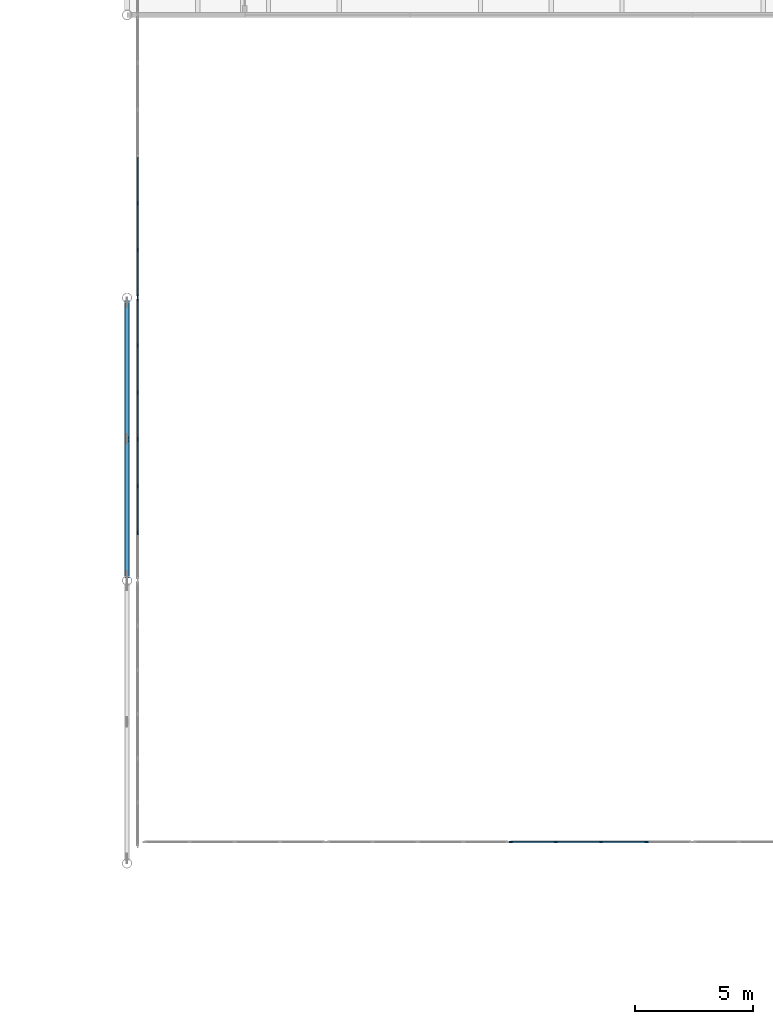
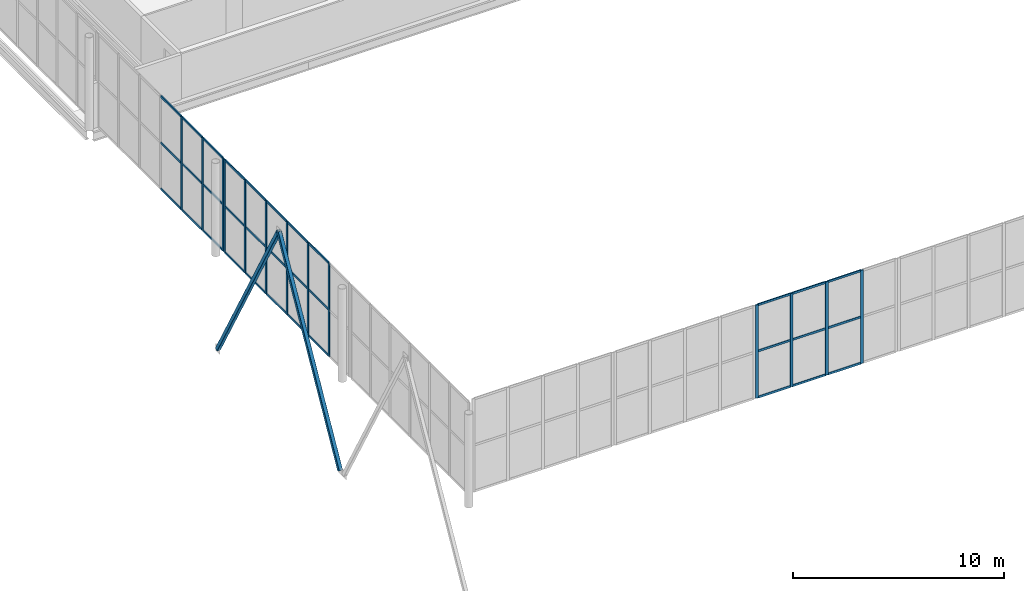
# One storey, part 52 of 170: 48 members, 3 elements without a shape of their own.
"""IFC4 building model written with IfcOpenShell, lengths in metres."""

from ifc_helpers import new_model, si_unit, direction, frame, origin, origin_2d, place, context, subcontext, project, spatial, rectangle, hollow_rectangle, extrude, material, layer, layer_set, material_profile, profile_set, type_object, element, aggregate, save


model = new_model("IFC4")

# Units and contexts
model_context = context("Model", 3, precision=1e-05, world=origin(), true_north=direction((0.0, 1.0)))
body_context = subcontext(model_context, "Body", "Model", "MODEL_VIEW")
ifc_project = project(units=[si_unit("LENGTHUNIT", "METRE"), si_unit("AREAUNIT", "SQUARE_METRE"), si_unit("VOLUMEUNIT", "CUBIC_METRE"), si_unit("PLANEANGLEUNIT", "RADIAN"), si_unit("MASSUNIT", "GRAM", prefix="KILO")], contexts=[model_context])

# Site, building, storey
site_placement = place(None, origin())
site = spatial("IfcSite", under=ifc_project, at=site_placement, CompositionType="ELEMENT")
building_placement = place(site_placement, origin())
building = spatial("IfcBuilding", under=site, at=building_placement, Name="Ravi Spectrum Wholesale Market", CompositionType="ELEMENT")
storey_placement = place(building_placement, frame((0.0, 0.0, 5.39990234375)))
storey = spatial("IfcBuildingStorey", under=building, at=storey_placement, Name="L01", CompositionType="ELEMENT", Elevation=5.39990234375)

# Curtain wall, members
ifc_material_1 = material(Name="Aluminium 6063-T6", Category="aluminium")
ifc_layer = layer(ifc_material_1, 0.14990234375)
ifc_layer_set = layer_set([ifc_layer], Name="Aluminium 6063-T6")
curtain_wall_type = type_object("IfcCurtainWallType", Name="Curtain wall 150", PredefinedType="NOTDEFINED", material=ifc_layer_set)
curtain_wall_1_placement = place(storey_placement, origin())
curtain_wall_1 = element("IfcCurtainWall", 1, at=curtain_wall_1_placement, inside=storey, type_object=curtain_wall_type, Name="H2-CW-L01-002", PredefinedType="NOTDEFINED")
ifc_material_2 = material(Name="Aluminium 6063-T6", Category="aluminium")
ifc_material_profile_1 = material_profile(ifc_material_2, rectangle(XDim=0.06005859375, YDim=0.159912109375, at=origin_2d()))
ifc_profile_set_1 = profile_set([ifc_material_profile_1], Name="Aluminium 6063-T6")
member_type_1 = type_object("IfcMemberType", Name="Mullion 60 x 160", PredefinedType="MULLION", material=ifc_profile_set_1)
member_1_placement = place(storey_placement, frame((150.453125, 92.026611328125, 0.0), z_axis=(0.0, 0.0, 1.0), x_axis=(-1.0, 0.0, 0.0)))
member_1 = element("IfcMember", 2, at=member_1_placement, type_object=member_type_1, Name="H2-CW-L01-002 mullion 2", PredefinedType="MULLION", context=body_context, shape_type="SweptSolid", body=[
    extrude(rectangle(XDim=0.06005859375, YDim=0.159912109375, at=origin_2d()), origin(), (0.0, 0.0, 1.0), 5.400146484375),
])
member_2_placement = place(storey_placement, frame((150.453125, 94.013427734375, 0.0), z_axis=(0.0, 0.0, 1.0), x_axis=(-1.0, 0.0, 0.0)))
member_2 = element("IfcMember", 3, at=member_2_placement, type_object=member_type_1, Name="H2-CW-L01-002 mullion 3", PredefinedType="MULLION", context=body_context, shape_type="SweptSolid", body=[
    extrude(rectangle(XDim=0.06005859375, YDim=0.159912109375, at=origin_2d()), origin(), (0.0, 0.0, 1.0), 5.400146484375),
])
member_3_placement = place(storey_placement, frame((150.453125, 96.0, 0.0), z_axis=(0.0, 0.0, 1.0), x_axis=(-1.0, 0.0, 0.0)))
member_3 = element("IfcMember", 4, at=member_3_placement, type_object=member_type_1, Name="H2-CW-L01-002 mullion 4", PredefinedType="MULLION", context=body_context, shape_type="SweptSolid", body=[
    extrude(rectangle(XDim=0.06005859375, YDim=0.159912109375, at=origin_2d()), origin(), (0.0, 0.0, 1.0), 5.400146484375),
])
member_4_placement = place(storey_placement, frame((150.453125, 97.986572265625, 0.0), z_axis=(0.0, 0.0, 1.0), x_axis=(-1.0, 0.0, 0.0)))
member_4 = element("IfcMember", 5, at=member_4_placement, type_object=member_type_1, Name="H2-CW-L01-002 mullion 5", PredefinedType="MULLION", context=body_context, shape_type="SweptSolid", body=[
    extrude(rectangle(XDim=0.06005859375, YDim=0.159912109375, at=origin_2d()), origin(), (0.0, 0.0, 1.0), 5.400146484375),
])
member_5_placement = place(storey_placement, frame((150.453125, 99.973388671875, 0.0), z_axis=(0.0, 0.0, 1.0), x_axis=(-1.0, 0.0, 0.0)))
member_5 = element("IfcMember", 6, at=member_5_placement, type_object=member_type_1, Name="H2-CW-L01-002 mullion 6", PredefinedType="MULLION", context=body_context, shape_type="SweptSolid", body=[
    extrude(rectangle(XDim=0.06005859375, YDim=0.159912109375, at=origin_2d()), origin(), (0.0, 0.0, 1.0), 5.400146484375),
])
member_6_placement = place(storey_placement, frame((150.453125, 101.929931640625, 0.0), z_axis=(0.0, 0.0, 1.0), x_axis=(-1.0, 0.0, 0.0)))
member_6 = element("IfcMember", 7, at=member_6_placement, type_object=member_type_1, Name="H2-CW-L01-002 mullion 7", PredefinedType="MULLION", context=body_context, shape_type="SweptSolid", body=[
    extrude(rectangle(XDim=0.06005859375, YDim=0.159912109375, at=origin_2d()), origin(), (0.0, 0.0, 1.0), 5.400146484375),
])

curtain_wall_2_placement = place(storey_placement, origin())
curtain_wall_2 = element("IfcCurtainWall", 8, at=curtain_wall_2_placement, inside=storey, type_object=curtain_wall_type, Name="H2-CW-L01-003", PredefinedType="NOTDEFINED")
member_7_placement = place(storey_placement, frame((150.453125, 102.070068359375, 0.0), z_axis=(0.0, 0.0, 1.0), x_axis=(-1.0, 0.0, 0.0)))
member_7 = element("IfcMember", 9, at=member_7_placement, type_object=member_type_1, Name="H2-CW-L01-003 mullion 1", PredefinedType="MULLION", context=body_context, shape_type="SweptSolid", body=[
    extrude(rectangle(XDim=0.06005859375, YDim=0.159912109375, at=origin_2d()), origin(), (0.0, 0.0, 1.0), 5.400146484375),
])
member_8_placement = place(storey_placement, frame((150.453125, 104.026611328125, 0.0), z_axis=(0.0, 0.0, 1.0), x_axis=(-1.0, 0.0, 0.0)))
member_8 = element("IfcMember", 10, at=member_8_placement, type_object=member_type_1, Name="H2-CW-L01-003 mullion 2", PredefinedType="MULLION", context=body_context, shape_type="SweptSolid", body=[
    extrude(rectangle(XDim=0.06005859375, YDim=0.159912109375, at=origin_2d()), origin(), (0.0, 0.0, 1.0), 5.400146484375),
])
member_9_placement = place(storey_placement, frame((150.453125, 106.013427734375, 0.0), z_axis=(0.0, 0.0, 1.0), x_axis=(-1.0, 0.0, 0.0)))
member_9 = element("IfcMember", 11, at=member_9_placement, type_object=member_type_1, Name="H2-CW-L01-003 mullion 3", PredefinedType="MULLION", context=body_context, shape_type="SweptSolid", body=[
    extrude(rectangle(XDim=0.06005859375, YDim=0.159912109375, at=origin_2d()), origin(), (0.0, 0.0, 1.0), 5.400146484375),
])

curtain_wall_3_placement = place(storey_placement, origin())
curtain_wall_3 = element("IfcCurtainWall", 12, at=curtain_wall_3_placement, inside=storey, type_object=curtain_wall_type, Name="H2-CW-L01-011", PredefinedType="NOTDEFINED")
member_10_placement = place(storey_placement, frame((166.2978515625, 78.89990234375, 0.0), z_axis=(0.0, 0.0, 1.0), x_axis=(0.0, 1.0, 0.0)))
member_10 = element("IfcMember", 13, at=member_10_placement, type_object=member_type_1, Name="H2-CW-L01-011 mullion 1", PredefinedType="MULLION", context=body_context, shape_type="SweptSolid", body=[
    extrude(rectangle(XDim=0.06005859375, YDim=0.159912109375, at=origin_2d()), origin(), (0.0, 0.0, 1.0), 5.400146484375),
])
member_11_placement = place(storey_placement, frame((168.19091796875, 78.89990234375, 0.0), z_axis=(0.0, 0.0, 1.0), x_axis=(0.0, 1.0, 0.0)))
member_11 = element("IfcMember", 14, at=member_11_placement, type_object=member_type_1, Name="H2-CW-L01-011 mullion 2", PredefinedType="MULLION", context=body_context, shape_type="SweptSolid", body=[
    extrude(rectangle(XDim=0.06005859375, YDim=0.159912109375, at=origin_2d()), origin(), (0.0, 0.0, 1.0), 5.400146484375),
])
member_12_placement = place(storey_placement, frame((170.11376953125, 78.89990234375, 0.0), z_axis=(0.0, 0.0, 1.0), x_axis=(0.0, 1.0, 0.0)))
member_12 = element("IfcMember", 15, at=member_12_placement, type_object=member_type_1, Name="H2-CW-L01-011 mullion 3", PredefinedType="MULLION", context=body_context, shape_type="SweptSolid", body=[
    extrude(rectangle(XDim=0.06005859375, YDim=0.159912109375, at=origin_2d()), origin(), (0.0, 0.0, 1.0), 5.400146484375),
])
member_13_placement = place(storey_placement, frame((172.036865234375, 78.89990234375, 0.0), z_axis=(0.0, 0.0, 1.0), x_axis=(0.0, 1.0, 0.0)))
member_13 = element("IfcMember", 16, at=member_13_placement, type_object=member_type_1, Name="H2-CW-L01-011 mullion 4", PredefinedType="MULLION", context=body_context, shape_type="SweptSolid", body=[
    extrude(rectangle(XDim=0.06005859375, YDim=0.159912109375, at=origin_2d()), origin(), (0.0, 0.0, 1.0), 5.400146484375),
])

# Members
ifc_material_3 = material(Name="Steel S355", Category="steel")
ifc_material_profile_2 = material_profile(ifc_material_3, hollow_rectangle(XDim=0.199951171875, YDim=0.199951171875, WallThickness=0.008056640625, InnerFilletRadius=0.008056640625, OuterFilletRadius=0.01611328125, at=origin_2d()))
ifc_profile_set_2 = profile_set([ifc_material_profile_2], Name="Steel S355")
member_type_2 = type_object("IfcMemberType", Name="SHS 200x200x8 brace", PredefinedType="BRACE", material=ifc_profile_set_2)
for number, where, z_axis, x_axis, name in (
    (17, (150.0, 90.203125, -5.3505859375), (0.0, 0.489534756708, 0.871983785385), (-1.0, 0.0, 0.0), "H2-MB-L01-003"),
    (18, (150.0, 101.796875, -5.3505859375), (0.0, -0.489534756708, 0.871983785385), (1.0, 0.0, 0.0), "H2-MB-L01-004"),
):
    element("IfcMember", number, at=place(storey_placement, frame(where, z_axis=z_axis, x_axis=x_axis)), inside=storey, type_object=member_type_2, Name=name, PredefinedType="BRACE", context=body_context, shape_type="SweptSolid", body=[
        extrude(hollow_rectangle(XDim=0.199951171875, YDim=0.199951171875, WallThickness=0.008056640625, InnerFilletRadius=0.008056640625, OuterFilletRadius=0.01611328125, at=origin_2d()), origin(), (0.0, 0.0, 1.0), 11.841552734375),
    ])

# Member
ifc_material_4 = material(Name="Aluminium 6063-T6", Category="aluminium")
ifc_material_profile_3 = material_profile(ifc_material_4, rectangle(XDim=0.06005859375, YDim=0.1201171875, at=origin_2d()))
ifc_profile_set_3 = profile_set([ifc_material_profile_3], Name="Aluminium 6063-T6")
member_type_3 = type_object("IfcMemberType", Name="Transom 60 x 120", PredefinedType="USERDEFINED", material=ifc_profile_set_3)
member_14_placement = place(storey_placement, frame((150.453125, 92.056640625, 0.030029296875), z_axis=(0.0, 1.0, 0.0), x_axis=(-1.0, 0.0, 0.0)))
member_14 = element("IfcMember", 19, at=member_14_placement, type_object=member_type_3, Name="H2-CW-L01-002 transom 2.1", ObjectType="TRANSOM", PredefinedType="USERDEFINED", context=body_context, shape_type="SweptSolid", body=[
    extrude(rectangle(XDim=0.06005859375, YDim=0.1201171875, at=origin_2d()), origin(), (0.0, 0.0, 1.0), 1.9267578125),
])

member_15_placement = place(storey_placement, frame((150.453125, 92.056640625, 2.7001953125), z_axis=(0.0, 1.0, 0.0), x_axis=(-1.0, 0.0, 0.0)))
member_15 = element("IfcMember", 20, at=member_15_placement, type_object=member_type_3, Name="H2-CW-L01-002 transom 2.2", ObjectType="TRANSOM", PredefinedType="USERDEFINED", context=body_context, shape_type="SweptSolid", body=[
    extrude(rectangle(XDim=0.06005859375, YDim=0.1201171875, at=origin_2d()), origin(), (0.0, 0.0, 1.0), 1.9267578125),
])

member_16_placement = place(storey_placement, frame((150.453125, 92.056640625, 5.3701171875), z_axis=(0.0, 1.0, 0.0), x_axis=(-1.0, 0.0, 0.0)))
member_16 = element("IfcMember", 21, at=member_16_placement, type_object=member_type_3, Name="H2-CW-L01-002 transom 2.3", ObjectType="TRANSOM", PredefinedType="USERDEFINED", context=body_context, shape_type="SweptSolid", body=[
    extrude(rectangle(XDim=0.06005859375, YDim=0.1201171875, at=origin_2d()), origin(), (0.0, 0.0, 1.0), 1.9267578125),
])

member_17_placement = place(storey_placement, frame((150.453125, 94.043212890625, 0.030029296875), z_axis=(0.0, 1.0, 0.0), x_axis=(-1.0, 0.0, 0.0)))
member_17 = element("IfcMember", 22, at=member_17_placement, type_object=member_type_3, Name="H2-CW-L01-002 transom 3.1", ObjectType="TRANSOM", PredefinedType="USERDEFINED", context=body_context, shape_type="SweptSolid", body=[
    extrude(rectangle(XDim=0.06005859375, YDim=0.1201171875, at=origin_2d()), origin(), (0.0, 0.0, 1.0), 1.9267578125),
])

member_18_placement = place(storey_placement, frame((150.453125, 94.043212890625, 2.7001953125), z_axis=(0.0, 1.0, 0.0), x_axis=(-1.0, 0.0, 0.0)))
member_18 = element("IfcMember", 23, at=member_18_placement, type_object=member_type_3, Name="H2-CW-L01-002 transom 3.2", ObjectType="TRANSOM", PredefinedType="USERDEFINED", context=body_context, shape_type="SweptSolid", body=[
    extrude(rectangle(XDim=0.06005859375, YDim=0.1201171875, at=origin_2d()), origin(), (0.0, 0.0, 1.0), 1.9267578125),
])

member_19_placement = place(storey_placement, frame((150.453125, 94.043212890625, 5.3701171875), z_axis=(0.0, 1.0, 0.0), x_axis=(-1.0, 0.0, 0.0)))
member_19 = element("IfcMember", 24, at=member_19_placement, type_object=member_type_3, Name="H2-CW-L01-002 transom 3.3", ObjectType="TRANSOM", PredefinedType="USERDEFINED", context=body_context, shape_type="SweptSolid", body=[
    extrude(rectangle(XDim=0.06005859375, YDim=0.1201171875, at=origin_2d()), origin(), (0.0, 0.0, 1.0), 1.9267578125),
])

member_20_placement = place(storey_placement, frame((150.453125, 96.030029296875, 0.030029296875), z_axis=(0.0, 1.0, 0.0), x_axis=(-1.0, 0.0, 0.0)))
member_20 = element("IfcMember", 25, at=member_20_placement, type_object=member_type_3, Name="H2-CW-L01-002 transom 4.1", ObjectType="TRANSOM", PredefinedType="USERDEFINED", context=body_context, shape_type="SweptSolid", body=[
    extrude(rectangle(XDim=0.06005859375, YDim=0.1201171875, at=origin_2d()), origin(), (0.0, 0.0, 1.0), 1.9267578125),
])

member_21_placement = place(storey_placement, frame((150.453125, 96.030029296875, 2.7001953125), z_axis=(0.0, 1.0, 0.0), x_axis=(-1.0, 0.0, 0.0)))
member_21 = element("IfcMember", 26, at=member_21_placement, type_object=member_type_3, Name="H2-CW-L01-002 transom 4.2", ObjectType="TRANSOM", PredefinedType="USERDEFINED", context=body_context, shape_type="SweptSolid", body=[
    extrude(rectangle(XDim=0.06005859375, YDim=0.1201171875, at=origin_2d()), origin(), (0.0, 0.0, 1.0), 1.9267578125),
])

member_22_placement = place(storey_placement, frame((150.453125, 96.030029296875, 5.3701171875), z_axis=(0.0, 1.0, 0.0), x_axis=(-1.0, 0.0, 0.0)))
member_22 = element("IfcMember", 27, at=member_22_placement, type_object=member_type_3, Name="H2-CW-L01-002 transom 4.3", ObjectType="TRANSOM", PredefinedType="USERDEFINED", context=body_context, shape_type="SweptSolid", body=[
    extrude(rectangle(XDim=0.06005859375, YDim=0.1201171875, at=origin_2d()), origin(), (0.0, 0.0, 1.0), 1.9267578125),
])

member_23_placement = place(storey_placement, frame((150.453125, 98.0166015625, 0.030029296875), z_axis=(0.0, 1.0, 0.0), x_axis=(-1.0, 0.0, 0.0)))
member_23 = element("IfcMember", 28, at=member_23_placement, type_object=member_type_3, Name="H2-CW-L01-002 transom 5.1", ObjectType="TRANSOM", PredefinedType="USERDEFINED", context=body_context, shape_type="SweptSolid", body=[
    extrude(rectangle(XDim=0.06005859375, YDim=0.1201171875, at=origin_2d()), origin(), (0.0, 0.0, 1.0), 1.9267578125),
])

member_24_placement = place(storey_placement, frame((150.453125, 98.0166015625, 2.7001953125), z_axis=(0.0, 1.0, 0.0), x_axis=(-1.0, 0.0, 0.0)))
member_24 = element("IfcMember", 29, at=member_24_placement, type_object=member_type_3, Name="H2-CW-L01-002 transom 5.2", ObjectType="TRANSOM", PredefinedType="USERDEFINED", context=body_context, shape_type="SweptSolid", body=[
    extrude(rectangle(XDim=0.06005859375, YDim=0.1201171875, at=origin_2d()), origin(), (0.0, 0.0, 1.0), 1.9267578125),
])

member_25_placement = place(storey_placement, frame((150.453125, 98.0166015625, 5.3701171875), z_axis=(0.0, 1.0, 0.0), x_axis=(-1.0, 0.0, 0.0)))
member_25 = element("IfcMember", 30, at=member_25_placement, type_object=member_type_3, Name="H2-CW-L01-002 transom 5.3", ObjectType="TRANSOM", PredefinedType="USERDEFINED", context=body_context, shape_type="SweptSolid", body=[
    extrude(rectangle(XDim=0.06005859375, YDim=0.1201171875, at=origin_2d()), origin(), (0.0, 0.0, 1.0), 1.9267578125),
])

member_26_placement = place(storey_placement, frame((150.453125, 100.00341796875, 0.030029296875), z_axis=(0.0, 1.0, 0.0), x_axis=(-1.0, 0.0, 0.0)))
member_26 = element("IfcMember", 31, at=member_26_placement, type_object=member_type_3, Name="H2-CW-L01-002 transom 6.1", ObjectType="TRANSOM", PredefinedType="USERDEFINED", context=body_context, shape_type="SweptSolid", body=[
    extrude(rectangle(XDim=0.06005859375, YDim=0.1201171875, at=origin_2d()), origin(), (0.0, 0.0, 1.0), 1.896484375),
])

member_27_placement = place(storey_placement, frame((150.453125, 100.00341796875, 2.7001953125), z_axis=(0.0, 1.0, 0.0), x_axis=(-1.0, 0.0, 0.0)))
member_27 = element("IfcMember", 32, at=member_27_placement, type_object=member_type_3, Name="H2-CW-L01-002 transom 6.2", ObjectType="TRANSOM", PredefinedType="USERDEFINED", context=body_context, shape_type="SweptSolid", body=[
    extrude(rectangle(XDim=0.06005859375, YDim=0.1201171875, at=origin_2d()), origin(), (0.0, 0.0, 1.0), 1.896484375),
])

member_28_placement = place(storey_placement, frame((150.453125, 100.00341796875, 5.3701171875), z_axis=(0.0, 1.0, 0.0), x_axis=(-1.0, 0.0, 0.0)))
member_28 = element("IfcMember", 33, at=member_28_placement, type_object=member_type_3, Name="H2-CW-L01-002 transom 6.3", ObjectType="TRANSOM", PredefinedType="USERDEFINED", context=body_context, shape_type="SweptSolid", body=[
    extrude(rectangle(XDim=0.06005859375, YDim=0.1201171875, at=origin_2d()), origin(), (0.0, 0.0, 1.0), 1.896484375),
])

aggregate(curtain_wall_1, [member_1, member_2, member_3, member_4, member_5, member_6, member_14, member_15, member_16, member_17, member_18, member_19, member_20, member_21, member_22, member_23, member_24, member_25, member_26, member_27, member_28])

member_29_placement = place(storey_placement, frame((150.453125, 102.10009765625, 0.030029296875), z_axis=(0.0, 1.0, 0.0), x_axis=(-1.0, 0.0, 0.0)))
member_29 = element("IfcMember", 34, at=member_29_placement, type_object=member_type_3, Name="H2-CW-L01-003 transom 1.1", ObjectType="TRANSOM", PredefinedType="USERDEFINED", context=body_context, shape_type="SweptSolid", body=[
    extrude(rectangle(XDim=0.06005859375, YDim=0.1201171875, at=origin_2d()), origin(), (0.0, 0.0, 1.0), 1.896484375),
])

member_30_placement = place(storey_placement, frame((150.453125, 102.10009765625, 2.7001953125), z_axis=(0.0, 1.0, 0.0), x_axis=(-1.0, 0.0, 0.0)))
member_30 = element("IfcMember", 35, at=member_30_placement, type_object=member_type_3, Name="H2-CW-L01-003 transom 1.2", ObjectType="TRANSOM", PredefinedType="USERDEFINED", context=body_context, shape_type="SweptSolid", body=[
    extrude(rectangle(XDim=0.06005859375, YDim=0.1201171875, at=origin_2d()), origin(), (0.0, 0.0, 1.0), 1.896484375),
])

member_31_placement = place(storey_placement, frame((150.453125, 102.10009765625, 5.3701171875), z_axis=(0.0, 1.0, 0.0), x_axis=(-1.0, 0.0, 0.0)))
member_31 = element("IfcMember", 36, at=member_31_placement, type_object=member_type_3, Name="H2-CW-L01-003 transom 1.3", ObjectType="TRANSOM", PredefinedType="USERDEFINED", context=body_context, shape_type="SweptSolid", body=[
    extrude(rectangle(XDim=0.06005859375, YDim=0.1201171875, at=origin_2d()), origin(), (0.0, 0.0, 1.0), 1.896484375),
])

member_32_placement = place(storey_placement, frame((150.453125, 104.056640625, 0.030029296875), z_axis=(0.0, 1.0, 0.0), x_axis=(-1.0, 0.0, 0.0)))
member_32 = element("IfcMember", 37, at=member_32_placement, type_object=member_type_3, Name="H2-CW-L01-003 transom 2.1", ObjectType="TRANSOM", PredefinedType="USERDEFINED", context=body_context, shape_type="SweptSolid", body=[
    extrude(rectangle(XDim=0.06005859375, YDim=0.1201171875, at=origin_2d()), origin(), (0.0, 0.0, 1.0), 1.9267578125),
])

member_33_placement = place(storey_placement, frame((150.453125, 104.056640625, 2.7001953125), z_axis=(0.0, 1.0, 0.0), x_axis=(-1.0, 0.0, 0.0)))
member_33 = element("IfcMember", 38, at=member_33_placement, type_object=member_type_3, Name="H2-CW-L01-003 transom 2.2", ObjectType="TRANSOM", PredefinedType="USERDEFINED", context=body_context, shape_type="SweptSolid", body=[
    extrude(rectangle(XDim=0.06005859375, YDim=0.1201171875, at=origin_2d()), origin(), (0.0, 0.0, 1.0), 1.9267578125),
])

member_34_placement = place(storey_placement, frame((150.453125, 104.056640625, 5.3701171875), z_axis=(0.0, 1.0, 0.0), x_axis=(-1.0, 0.0, 0.0)))
member_34 = element("IfcMember", 39, at=member_34_placement, type_object=member_type_3, Name="H2-CW-L01-003 transom 2.3", ObjectType="TRANSOM", PredefinedType="USERDEFINED", context=body_context, shape_type="SweptSolid", body=[
    extrude(rectangle(XDim=0.06005859375, YDim=0.1201171875, at=origin_2d()), origin(), (0.0, 0.0, 1.0), 1.9267578125),
])

member_35_placement = place(storey_placement, frame((150.453125, 106.043212890625, 0.030029296875), z_axis=(0.0, 1.0, 0.0), x_axis=(-1.0, 0.0, 0.0)))
member_35 = element("IfcMember", 40, at=member_35_placement, type_object=member_type_3, Name="H2-CW-L01-003 transom 3.1", ObjectType="TRANSOM", PredefinedType="USERDEFINED", context=body_context, shape_type="SweptSolid", body=[
    extrude(rectangle(XDim=0.06005859375, YDim=0.1201171875, at=origin_2d()), origin(), (0.0, 0.0, 1.0), 1.9267578125),
])

member_36_placement = place(storey_placement, frame((150.453125, 106.043212890625, 2.7001953125), z_axis=(0.0, 1.0, 0.0), x_axis=(-1.0, 0.0, 0.0)))
member_36 = element("IfcMember", 41, at=member_36_placement, type_object=member_type_3, Name="H2-CW-L01-003 transom 3.2", ObjectType="TRANSOM", PredefinedType="USERDEFINED", context=body_context, shape_type="SweptSolid", body=[
    extrude(rectangle(XDim=0.06005859375, YDim=0.1201171875, at=origin_2d()), origin(), (0.0, 0.0, 1.0), 1.9267578125),
])

member_37_placement = place(storey_placement, frame((150.453125, 106.043212890625, 5.3701171875), z_axis=(0.0, 1.0, 0.0), x_axis=(-1.0, 0.0, 0.0)))
member_37 = element("IfcMember", 42, at=member_37_placement, type_object=member_type_3, Name="H2-CW-L01-003 transom 3.3", ObjectType="TRANSOM", PredefinedType="USERDEFINED", context=body_context, shape_type="SweptSolid", body=[
    extrude(rectangle(XDim=0.06005859375, YDim=0.1201171875, at=origin_2d()), origin(), (0.0, 0.0, 1.0), 1.9267578125),
])

aggregate(curtain_wall_2, [member_7, member_8, member_9, member_29, member_30, member_31, member_32, member_33, member_34, member_35, member_36, member_37])

member_38_placement = place(storey_placement, frame((166.32763671875, 78.89990234375, 0.030029296875), z_axis=(1.0, 0.0, 0.0), x_axis=(0.0, 1.0, 0.0)))
member_38 = element("IfcMember", 43, at=member_38_placement, type_object=member_type_3, Name="H2-CW-L01-011 transom 1.1", ObjectType="TRANSOM", PredefinedType="USERDEFINED", context=body_context, shape_type="SweptSolid", body=[
    extrude(rectangle(XDim=0.06005859375, YDim=0.1201171875, at=origin_2d()), origin(), (0.0, 0.0, 1.0), 1.833251953125),
])

member_39_placement = place(storey_placement, frame((166.32763671875, 78.89990234375, 2.7001953125), z_axis=(1.0, 0.0, 0.0), x_axis=(0.0, 1.0, 0.0)))
member_39 = element("IfcMember", 44, at=member_39_placement, type_object=member_type_3, Name="H2-CW-L01-011 transom 1.2", ObjectType="TRANSOM", PredefinedType="USERDEFINED", context=body_context, shape_type="SweptSolid", body=[
    extrude(rectangle(XDim=0.06005859375, YDim=0.1201171875, at=origin_2d()), origin(), (0.0, 0.0, 1.0), 1.833251953125),
])

member_40_placement = place(storey_placement, frame((166.32763671875, 78.89990234375, 5.3701171875), z_axis=(1.0, 0.0, 0.0), x_axis=(0.0, 1.0, 0.0)))
member_40 = element("IfcMember", 45, at=member_40_placement, type_object=member_type_3, Name="H2-CW-L01-011 transom 1.3", ObjectType="TRANSOM", PredefinedType="USERDEFINED", context=body_context, shape_type="SweptSolid", body=[
    extrude(rectangle(XDim=0.06005859375, YDim=0.1201171875, at=origin_2d()), origin(), (0.0, 0.0, 1.0), 1.833251953125),
])

member_41_placement = place(storey_placement, frame((168.220703125, 78.89990234375, 0.030029296875), z_axis=(1.0, 0.0, 0.0), x_axis=(0.0, 1.0, 0.0)))
member_41 = element("IfcMember", 46, at=member_41_placement, type_object=member_type_3, Name="H2-CW-L01-011 transom 2.1", ObjectType="TRANSOM", PredefinedType="USERDEFINED", context=body_context, shape_type="SweptSolid", body=[
    extrude(rectangle(XDim=0.06005859375, YDim=0.1201171875, at=origin_2d()), origin(), (0.0, 0.0, 1.0), 1.86328125),
])

member_42_placement = place(storey_placement, frame((168.220703125, 78.89990234375, 2.7001953125), z_axis=(1.0, 0.0, 0.0), x_axis=(0.0, 1.0, 0.0)))
member_42 = element("IfcMember", 47, at=member_42_placement, type_object=member_type_3, Name="H2-CW-L01-011 transom 2.2", ObjectType="TRANSOM", PredefinedType="USERDEFINED", context=body_context, shape_type="SweptSolid", body=[
    extrude(rectangle(XDim=0.06005859375, YDim=0.1201171875, at=origin_2d()), origin(), (0.0, 0.0, 1.0), 1.86328125),
])

member_43_placement = place(storey_placement, frame((168.220703125, 78.89990234375, 5.3701171875), z_axis=(1.0, 0.0, 0.0), x_axis=(0.0, 1.0, 0.0)))
member_43 = element("IfcMember", 48, at=member_43_placement, type_object=member_type_3, Name="H2-CW-L01-011 transom 2.3", ObjectType="TRANSOM", PredefinedType="USERDEFINED", context=body_context, shape_type="SweptSolid", body=[
    extrude(rectangle(XDim=0.06005859375, YDim=0.1201171875, at=origin_2d()), origin(), (0.0, 0.0, 1.0), 1.86328125),
])

member_44_placement = place(storey_placement, frame((170.143798828125, 78.89990234375, 0.030029296875), z_axis=(1.0, 0.0, 0.0), x_axis=(0.0, 1.0, 0.0)))
member_44 = element("IfcMember", 49, at=member_44_placement, type_object=member_type_3, Name="H2-CW-L01-011 transom 3.1", ObjectType="TRANSOM", PredefinedType="USERDEFINED", context=body_context, shape_type="SweptSolid", body=[
    extrude(rectangle(XDim=0.06005859375, YDim=0.1201171875, at=origin_2d()), origin(), (0.0, 0.0, 1.0), 1.863037109375),
])

member_45_placement = place(storey_placement, frame((170.143798828125, 78.89990234375, 2.7001953125), z_axis=(1.0, 0.0, 0.0), x_axis=(0.0, 1.0, 0.0)))
member_45 = element("IfcMember", 50, at=member_45_placement, type_object=member_type_3, Name="H2-CW-L01-011 transom 3.2", ObjectType="TRANSOM", PredefinedType="USERDEFINED", context=body_context, shape_type="SweptSolid", body=[
    extrude(rectangle(XDim=0.06005859375, YDim=0.1201171875, at=origin_2d()), origin(), (0.0, 0.0, 1.0), 1.863037109375),
])

member_46_placement = place(storey_placement, frame((170.143798828125, 78.89990234375, 5.3701171875), z_axis=(1.0, 0.0, 0.0), x_axis=(0.0, 1.0, 0.0)))
member_46 = element("IfcMember", 51, at=member_46_placement, type_object=member_type_3, Name="H2-CW-L01-011 transom 3.3", ObjectType="TRANSOM", PredefinedType="USERDEFINED", context=body_context, shape_type="SweptSolid", body=[
    extrude(rectangle(XDim=0.06005859375, YDim=0.1201171875, at=origin_2d()), origin(), (0.0, 0.0, 1.0), 1.863037109375),
])

aggregate(curtain_wall_3, [member_10, member_11, member_12, member_13, member_38, member_39, member_40, member_41, member_42, member_43, member_44, member_45, member_46])

save(model, "model.ifc")
